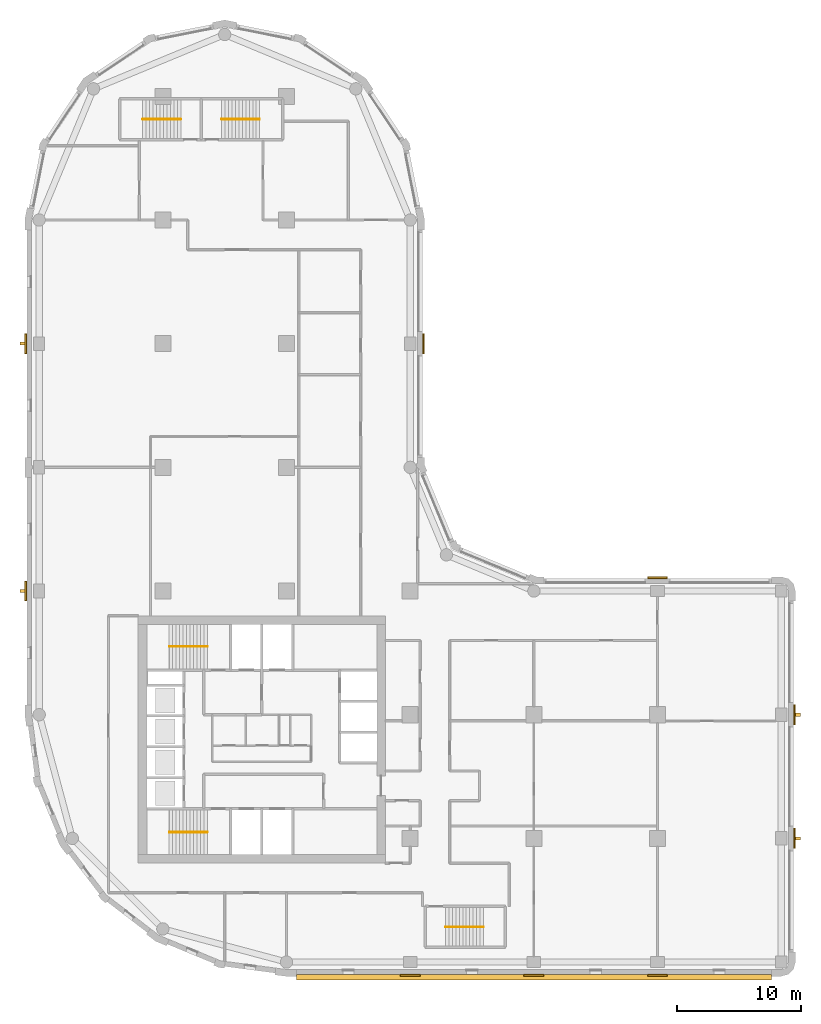
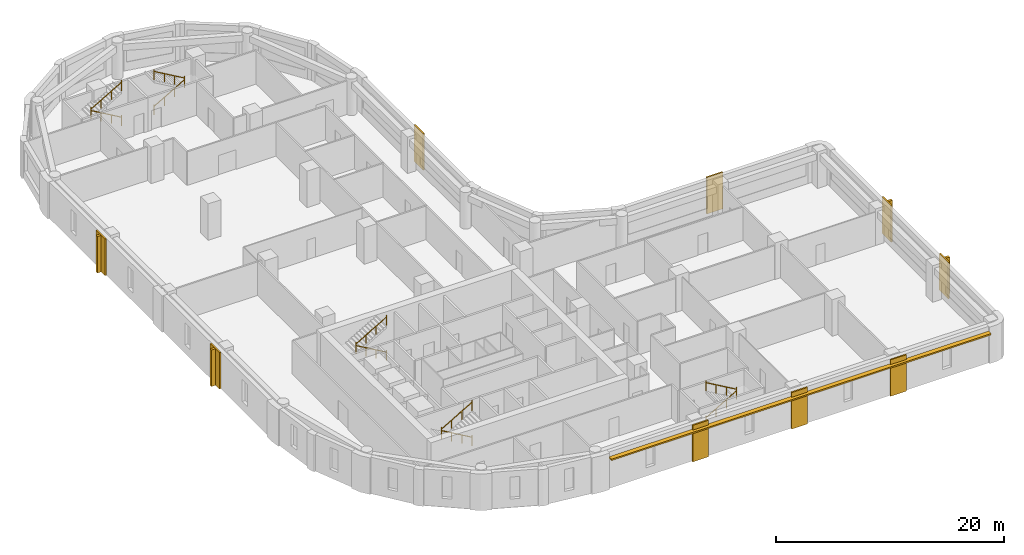
# One storey, part 8 of 9: 10 railings, 9 coverings, 5 shading devices.
"""IFC4 building model written with IfcOpenShell, lengths in metres."""

from ifc_helpers import new_model, si_unit, direction, frame, origin, origin_2d, place, context, subcontext, project, spatial, polyline, rectangle, circle, outline, extrude, material, layer, layer_set, type_object, element, save


model = new_model("IFC4")

# Units and contexts
model_context = context("Model", 3, precision=1e-05, world=origin(), true_north=direction((0.0, 1.0)))
body_context = subcontext(model_context, "Body", "Model", "MODEL_VIEW")
ifc_project = project(units=[si_unit("LENGTHUNIT", "METRE"), si_unit("AREAUNIT", "SQUARE_METRE"), si_unit("VOLUMEUNIT", "CUBIC_METRE"), si_unit("PLANEANGLEUNIT", "RADIAN"), si_unit("MASSUNIT", "GRAM", prefix="KILO")], contexts=[model_context])

# Site, building, storey
site_placement = place(None, origin())
site = spatial("IfcSite", under=ifc_project, at=site_placement, CompositionType="ELEMENT")
building_placement = place(site_placement, origin())
building = spatial("IfcBuilding", under=site, at=building_placement, Name="Qaws Garden Tower", CompositionType="ELEMENT")
storey_placement = place(building_placement, frame((0.0, 0.0, 155.10009765625)))
storey = spatial("IfcBuildingStorey", under=building, at=storey_placement, Name="L37", CompositionType="ELEMENT", Elevation=155.10009765625)

# Coverings
ifc_material_1 = material(Name="Clay facing brick masonry", Category="masonry")
ifc_layer_1 = layer(ifc_material_1, 0.14990234375)
ifc_layer_set_1 = layer_set([ifc_layer_1], Name="Clay facing brick masonry")
covering_type = type_object("IfcCoveringType", Name="Brick pilaster facing 150 x 1600", PredefinedType="CLADDING", material=ifc_layer_set_1)
placement = place(storey_placement, origin())
element("IfcCovering", 1, at=placement, inside=storey, type_object=covering_type, Name="E-L37-pier-01", PredefinedType="CLADDING", context=body_context, shape_type="SweptSolid", body=[
    extrude(outline(polyline([(29.199951171875, -1.0), (30.800048828125, -1.0), (30.800048828125, -1.14990234375), (29.199951171875, -1.14990234375), (29.199951171875, -1.0)])), origin(), (0.0, 0.0, 1.0), 3.89990234375),
])
element("IfcCovering", 2, at=placement, inside=storey, type_object=covering_type, Name="E-L37-pier-02", PredefinedType="CLADDING", context=body_context, shape_type="SweptSolid", body=[
    extrude(outline(polyline([(39.199951171875, -1.0), (40.800048828125, -1.0), (40.800048828125, -1.14990234375), (39.199951171875, -1.14990234375), (39.199951171875, -1.0)])), origin(), (0.0, 0.0, 1.0), 3.89990234375),
])
element("IfcCovering", 3, at=placement, inside=storey, type_object=covering_type, Name="E-L37-pier-03", PredefinedType="CLADDING", context=body_context, shape_type="SweptSolid", body=[
    extrude(outline(polyline([(49.199951171875, -1.0), (50.800048828125, -1.0), (50.800048828125, -1.14990234375), (49.199951171875, -1.14990234375), (49.199951171875, -1.0)])), origin(), (0.0, 0.0, 1.0), 3.89990234375),
])
element("IfcCovering", 4, at=placement, inside=storey, type_object=covering_type, Name="E-L37-pier-05", PredefinedType="CLADDING", context=body_context, shape_type="SweptSolid", body=[
    extrude(outline(polyline([(61.0, 9.199951171875), (61.0, 10.800048828125), (61.14990234375, 10.800048828125), (61.14990234375, 9.199951171875), (61.0, 9.199951171875)])), origin(), (0.0, 0.0, 1.0), 3.89990234375),
])
element("IfcCovering", 5, at=placement, inside=storey, type_object=covering_type, Name="E-L37-pier-06", PredefinedType="CLADDING", context=body_context, shape_type="SweptSolid", body=[
    extrude(outline(polyline([(61.0, 19.199951171875), (61.0, 20.800048828125), (61.14990234375, 20.800048828125), (61.14990234375, 19.199951171875), (61.0, 19.199951171875)])), origin(), (0.0, 0.0, 1.0), 3.89990234375),
])
element("IfcCovering", 6, at=placement, inside=storey, type_object=covering_type, Name="E-L37-pier-08", PredefinedType="CLADDING", context=body_context, shape_type="SweptSolid", body=[
    extrude(outline(polyline([(50.800048828125, 31.0), (49.199951171875, 31.0), (49.199951171875, 31.14990234375), (50.800048828125, 31.14990234375), (50.800048828125, 31.0)])), origin(), (0.0, 0.0, 1.0), 3.89990234375),
])
element("IfcCovering", 7, at=placement, inside=storey, type_object=covering_type, Name="E-L37-pier-12", PredefinedType="CLADDING", context=body_context, shape_type="SweptSolid", body=[
    extrude(outline(polyline([(31.0, 49.199951171875), (31.0, 50.800048828125), (31.14990234375, 50.800048828125), (31.14990234375, 49.199951171875), (31.0, 49.199951171875)])), origin(), (0.0, 0.0, 1.0), 3.89990234375),
])
element("IfcCovering", 8, at=placement, inside=storey, type_object=covering_type, Name="E-L37-pier-22", PredefinedType="CLADDING", context=body_context, shape_type="SweptSolid", body=[
    extrude(outline(polyline([(-1.0, 50.800048828125), (-1.0, 49.199951171875), (-1.14990234375, 49.199951171875), (-1.14990234375, 50.800048828125), (-1.0, 50.800048828125)])), origin(), (0.0, 0.0, 1.0), 3.89990234375),
])
element("IfcCovering", 9, at=placement, inside=storey, type_object=covering_type, Name="E-L37-pier-24", PredefinedType="CLADDING", context=body_context, shape_type="SweptSolid", body=[
    extrude(outline(polyline([(-1.0, 30.800048828125), (-1.0, 29.199951171875), (-1.14990234375, 29.199951171875), (-1.14990234375, 30.800048828125), (-1.0, 30.800048828125)])), origin(), (0.0, 0.0, 1.0), 3.89990234375),
])

# Shading devices
ifc_material_2 = material(Name="Clay facing brick masonry", Category="masonry")
ifc_layer_2 = layer(ifc_material_2, 0.14990234375)
ifc_layer_set_2 = layer_set([ifc_layer_2], Name="Clay facing brick masonry")
shading_device_type_1 = type_object("IfcShadingDeviceType", Name="Brick sunshade band 450 x 150", PredefinedType="JALOUSIE", material=ifc_layer_set_2)
shading_device_placement = place(storey_placement, frame((0.0, 0.0, 3.25)))
element("IfcShadingDevice", 10, at=shading_device_placement, inside=storey, type_object=shading_device_type_1, Name="SUNSHADE 00", PredefinedType="JALOUSIE", context=body_context, shape_type="SweptSolid", body=[
    extrude(outline(polyline([(20.800048828125, -1.0), (20.800048828125, -1.449951171875), (59.199951171875, -1.449951171875), (59.199951171875, -1.0), (50.800048828125, -1.0), (50.800048828125, -1.14990234375), (49.199951171875, -1.14990234375), (49.199951171875, -1.0), (40.800048828125, -1.0), (40.800048828125, -1.14990234375), (39.199951171875, -1.14990234375), (39.199951171875, -1.0), (30.800048828125, -1.0), (30.800048828125, -1.14990234375), (29.199951171875, -1.14990234375), (29.199951171875, -1.0), (20.800048828125, -1.0)])), origin(), (0.0, 0.0, 1.0), 0.14990234375),
])
ifc_material_3 = material(Name="Clay facing brick masonry", Category="masonry")
ifc_layer_3 = layer(ifc_material_3, 0.25)
ifc_layer_set_3 = layer_set([ifc_layer_3], Name="Clay facing brick masonry")
shading_device_type_2 = type_object("IfcShadingDeviceType", Name="Brick-faced fin 250 x 400", PredefinedType="USERDEFINED", material=ifc_layer_set_3)
for number, where, z_axis, x_axis, name in (
    (11, (61.35009765625, 10.0, 0.0), (0.0, 0.0, 1.0), (0.0, 1.0, 0.0), "FIN 05"),
    (12, (61.35009765625, 20.0, 0.0), (0.0, 0.0, 1.0), (0.0, 1.0, 0.0), "FIN 06"),
    (13, (-1.35009765625, 50.0, 0.0), (0.0, 0.0, 1.0), (0.0, -1.0, 0.0), "FIN 22"),
    (14, (-1.35009765625, 30.0, 0.0), (0.0, 0.0, 1.0), (0.0, -1.0, 0.0), "FIN 24"),
):
    element("IfcShadingDevice", number, at=place(storey_placement, frame(where, z_axis=z_axis, x_axis=x_axis)), inside=storey, type_object=shading_device_type_2, Name=name, ObjectType="FIN", PredefinedType="USERDEFINED", context=body_context, shape_type="SweptSolid", body=[
        extrude(rectangle(XDim=0.25, YDim=0.39990234375, at=origin_2d()), origin(), (0.0, 0.0, 1.0), 3.89990234375),
    ])

# Railings
ifc_material_4 = material(Name="Steel S355", Category="steel")
railing_type = type_object("IfcRailingType", Name="Stair handrail 900", PredefinedType="HANDRAIL", material=ifc_material_4)
railing_1_placement = place(storey_placement, frame((13.60009765625, 10.5, 0.162353515625)))
element("IfcRailing", 15, at=railing_1_placement, inside=storey, type_object=railing_type, Name="Stair 1 handrail", PredefinedType="HANDRAIL", context=body_context, shape_type="SweptSolid", body=[
    extrude(circle(Radius=0.02392578125, at=origin_2d()), frame((0.0, 0.0, 0.8759765625), z_axis=(-0.864890721111, 0.0, 0.501960198159), x_axis=(0.0, -1.0, 0.0)), (0.0, 0.0, 1.0), 3.561279296875),
    extrude(circle(Radius=0.02099609375, at=origin_2d()), origin(), (0.0, 0.0, 1.0), 1.06201171875),
    extrude(circle(Radius=0.02099609375, at=origin_2d()), frame((-1.026611328125, 0.0, 0.595947265625)), (0.0, 0.0, 1.0), 0.851806640625),
    extrude(circle(Radius=0.02099609375, at=origin_2d()), frame((-2.053466796875, 0.0, 1.191650390625)), (0.0, 0.0, 1.0), 0.851806640625),
    extrude(circle(Radius=0.02099609375, at=origin_2d()), frame((-3.080078125, 0.0, 1.78759765625)), (0.0, 0.0, 1.0), 1.06201171875),
])
railing_2_placement = place(storey_placement, frame((10.52001953125, 10.5, 2.1123046875)))
element("IfcRailing", 16, at=railing_2_placement, inside=storey, type_object=railing_type, Name="Stair 1 handrail", PredefinedType="HANDRAIL", context=body_context, shape_type="SweptSolid", body=[
    extrude(circle(Radius=0.02392578125, at=origin_2d()), frame((0.0, 0.0, 0.8759765625), z_axis=(0.864890721111, 0.0, 0.501960198159), x_axis=(0.0, 1.0, 0.0)), (0.0, 0.0, 1.0), 3.561279296875),
    extrude(circle(Radius=0.02099609375, at=origin_2d()), origin(), (0.0, 0.0, 1.0), 1.06201171875),
    extrude(circle(Radius=0.02099609375, at=origin_2d()), frame((1.026611328125, 0.0, 0.595947265625)), (0.0, 0.0, 1.0), 0.851806640625),
    extrude(circle(Radius=0.02099609375, at=origin_2d()), frame((2.053466796875, 0.0, 1.191650390625)), (0.0, 0.0, 1.0), 0.851806640625),
    extrude(circle(Radius=0.02099609375, at=origin_2d()), frame((3.080078125, 0.0, 1.78759765625)), (0.0, 0.0, 1.0), 1.06201171875),
])
railing_3_placement = place(storey_placement, frame((13.60009765625, 25.5, 0.162353515625)))
element("IfcRailing", 17, at=railing_3_placement, inside=storey, type_object=railing_type, Name="Stair 4 handrail", PredefinedType="HANDRAIL", context=body_context, shape_type="SweptSolid", body=[
    extrude(circle(Radius=0.02392578125, at=origin_2d()), frame((0.0, 0.0, 0.8759765625), z_axis=(-0.864890721111, 0.0, 0.501960198159), x_axis=(0.0, -1.0, 0.0)), (0.0, 0.0, 1.0), 3.561279296875),
    extrude(circle(Radius=0.02099609375, at=origin_2d()), origin(), (0.0, 0.0, 1.0), 1.06201171875),
    extrude(circle(Radius=0.02099609375, at=origin_2d()), frame((-1.026611328125, 0.0, 0.595947265625)), (0.0, 0.0, 1.0), 0.851806640625),
    extrude(circle(Radius=0.02099609375, at=origin_2d()), frame((-2.053466796875, 0.0, 1.191650390625)), (0.0, 0.0, 1.0), 0.851806640625),
    extrude(circle(Radius=0.02099609375, at=origin_2d()), frame((-3.080078125, 0.0, 1.78759765625)), (0.0, 0.0, 1.0), 1.06201171875),
])
railing_4_placement = place(storey_placement, frame((10.52001953125, 25.5, 2.1123046875)))
element("IfcRailing", 18, at=railing_4_placement, inside=storey, type_object=railing_type, Name="Stair 4 handrail", PredefinedType="HANDRAIL", context=body_context, shape_type="SweptSolid", body=[
    extrude(circle(Radius=0.02392578125, at=origin_2d()), frame((0.0, 0.0, 0.8759765625), z_axis=(0.864890721111, 0.0, 0.501960198159), x_axis=(0.0, 1.0, 0.0)), (0.0, 0.0, 1.0), 3.561279296875),
    extrude(circle(Radius=0.02099609375, at=origin_2d()), origin(), (0.0, 0.0, 1.0), 1.06201171875),
    extrude(circle(Radius=0.02099609375, at=origin_2d()), frame((1.026611328125, 0.0, 0.595947265625)), (0.0, 0.0, 1.0), 0.851806640625),
    extrude(circle(Radius=0.02099609375, at=origin_2d()), frame((2.053466796875, 0.0, 1.191650390625)), (0.0, 0.0, 1.0), 0.851806640625),
    extrude(circle(Radius=0.02099609375, at=origin_2d()), frame((3.080078125, 0.0, 1.78759765625)), (0.0, 0.0, 1.0), 1.06201171875),
])
railing_5_placement = place(storey_placement, frame((32.85009765625, 2.85009765625, 0.162353515625)))
element("IfcRailing", 19, at=railing_5_placement, inside=storey, type_object=railing_type, Name="Stair 5 handrail", PredefinedType="HANDRAIL", context=body_context, shape_type="SweptSolid", body=[
    extrude(circle(Radius=0.02392578125, at=origin_2d()), frame((0.0, 0.0, 0.8759765625), z_axis=(0.864873446163, 0.0, 0.501989962173), x_axis=(0.0, 1.0, 0.0)), (0.0, 0.0, 1.0), 3.56103515625),
    extrude(circle(Radius=0.02099609375, at=origin_2d()), origin(), (0.0, 0.0, 1.0), 1.06201171875),
    extrude(circle(Radius=0.02099609375, at=origin_2d()), frame((1.026611328125, 0.0, 0.595947265625)), (0.0, 0.0, 1.0), 0.851806640625),
    extrude(circle(Radius=0.02099609375, at=origin_2d()), frame((2.05322265625, 0.0, 1.191650390625)), (0.0, 0.0, 1.0), 0.851806640625),
    extrude(circle(Radius=0.02099609375, at=origin_2d()), frame((3.079833984375, 0.0, 1.78759765625)), (0.0, 0.0, 1.0), 1.06201171875),
])
for number, where, name in (
    (20, (35.929931640625, 2.85009765625, 2.1123046875), "Stair 5 handrail"),
    (21, (11.449951171875, 68.14990234375, 0.162353515625), "Stair 6 handrail"),
):
    element("IfcRailing", number, at=place(storey_placement, frame(where)), inside=storey, type_object=railing_type, Name=name, PredefinedType="HANDRAIL", context=body_context, shape_type="SweptSolid", body=[
        extrude(circle(Radius=0.02392578125, at=origin_2d()), frame((0.0, 0.0, 0.8759765625), z_axis=(-0.864873446163, 0.0, 0.501989962173), x_axis=(0.0, -1.0, 0.0)), (0.0, 0.0, 1.0), 3.56103515625),
        extrude(circle(Radius=0.02099609375, at=origin_2d()), origin(), (0.0, 0.0, 1.0), 1.06201171875),
        extrude(circle(Radius=0.02099609375, at=origin_2d()), frame((-1.026611328125, 0.0, 0.595947265625)), (0.0, 0.0, 1.0), 0.851806640625),
        extrude(circle(Radius=0.02099609375, at=origin_2d()), frame((-2.05322265625, 0.0, 1.191650390625)), (0.0, 0.0, 1.0), 0.851806640625),
        extrude(circle(Radius=0.02099609375, at=origin_2d()), frame((-3.079833984375, 0.0, 1.78759765625)), (0.0, 0.0, 1.0), 1.06201171875),
    ])
railing_6_placement = place(storey_placement, frame((8.3701171875, 68.14990234375, 2.1123046875)))
element("IfcRailing", 22, at=railing_6_placement, inside=storey, type_object=railing_type, Name="Stair 6 handrail", PredefinedType="HANDRAIL", context=body_context, shape_type="SweptSolid", body=[
    extrude(circle(Radius=0.02392578125, at=origin_2d()), frame((0.0, 0.0, 0.8759765625), z_axis=(0.864873446163, 0.0, 0.501989962173), x_axis=(0.0, 1.0, 0.0)), (0.0, 0.0, 1.0), 3.56103515625),
    extrude(circle(Radius=0.02099609375, at=origin_2d()), origin(), (0.0, 0.0, 1.0), 1.06201171875),
    extrude(circle(Radius=0.02099609375, at=origin_2d()), frame((1.026611328125, 0.0, 0.595947265625)), (0.0, 0.0, 1.0), 0.851806640625),
    extrude(circle(Radius=0.02099609375, at=origin_2d()), frame((2.05322265625, 0.0, 1.191650390625)), (0.0, 0.0, 1.0), 0.851806640625),
    extrude(circle(Radius=0.02099609375, at=origin_2d()), frame((3.079833984375, 0.0, 1.78759765625)), (0.0, 0.0, 1.0), 1.06201171875),
])
railing_7_placement = place(storey_placement, frame((14.75, 68.14990234375, 0.162353515625)))
element("IfcRailing", 23, at=railing_7_placement, inside=storey, type_object=railing_type, Name="Stair 7 handrail", PredefinedType="HANDRAIL", context=body_context, shape_type="SweptSolid", body=[
    extrude(circle(Radius=0.02392578125, at=origin_2d()), frame((0.0, 0.0, 0.8759765625), z_axis=(0.864890721111, 0.0, 0.501960198159), x_axis=(0.0, 1.0, 0.0)), (0.0, 0.0, 1.0), 3.561279296875),
    extrude(circle(Radius=0.02099609375, at=origin_2d()), origin(), (0.0, 0.0, 1.0), 1.06201171875),
    extrude(circle(Radius=0.02099609375, at=origin_2d()), frame((1.026611328125, 0.0, 0.595947265625)), (0.0, 0.0, 1.0), 0.851806640625),
    extrude(circle(Radius=0.02099609375, at=origin_2d()), frame((2.053466796875, 0.0, 1.191650390625)), (0.0, 0.0, 1.0), 0.851806640625),
    extrude(circle(Radius=0.02099609375, at=origin_2d()), frame((3.080078125, 0.0, 1.78759765625)), (0.0, 0.0, 1.0), 1.06201171875),
])
railing_8_placement = place(storey_placement, frame((17.830078125, 68.14990234375, 2.1123046875)))
element("IfcRailing", 24, at=railing_8_placement, inside=storey, type_object=railing_type, Name="Stair 7 handrail", PredefinedType="HANDRAIL", context=body_context, shape_type="SweptSolid", body=[
    extrude(circle(Radius=0.02392578125, at=origin_2d()), frame((0.0, 0.0, 0.8759765625), z_axis=(-0.864890721111, 0.0, 0.501960198159), x_axis=(0.0, -1.0, 0.0)), (0.0, 0.0, 1.0), 3.561279296875),
    extrude(circle(Radius=0.02099609375, at=origin_2d()), origin(), (0.0, 0.0, 1.0), 1.06201171875),
    extrude(circle(Radius=0.02099609375, at=origin_2d()), frame((-1.026611328125, 0.0, 0.595947265625)), (0.0, 0.0, 1.0), 0.851806640625),
    extrude(circle(Radius=0.02099609375, at=origin_2d()), frame((-2.053466796875, 0.0, 1.191650390625)), (0.0, 0.0, 1.0), 0.851806640625),
    extrude(circle(Radius=0.02099609375, at=origin_2d()), frame((-3.080078125, 0.0, 1.78759765625)), (0.0, 0.0, 1.0), 1.06201171875),
])

save(model, "model.ifc")
